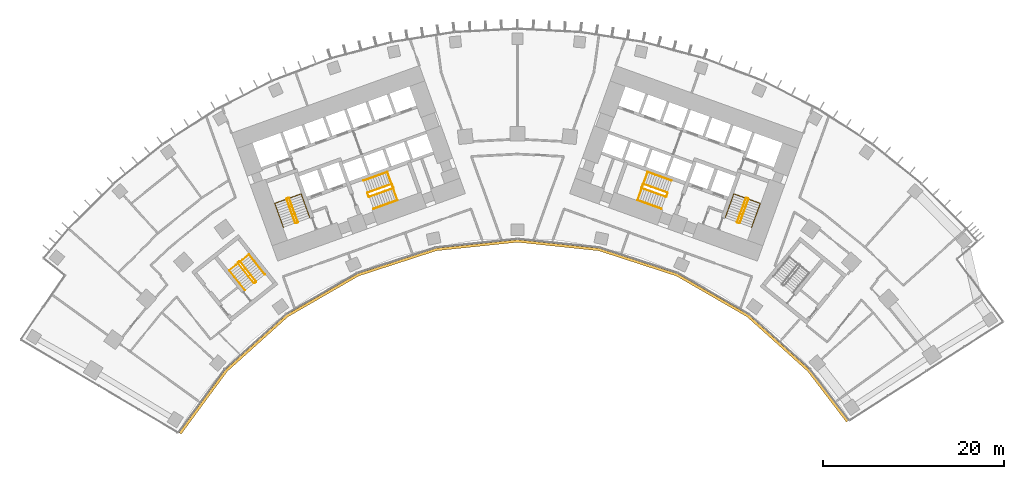
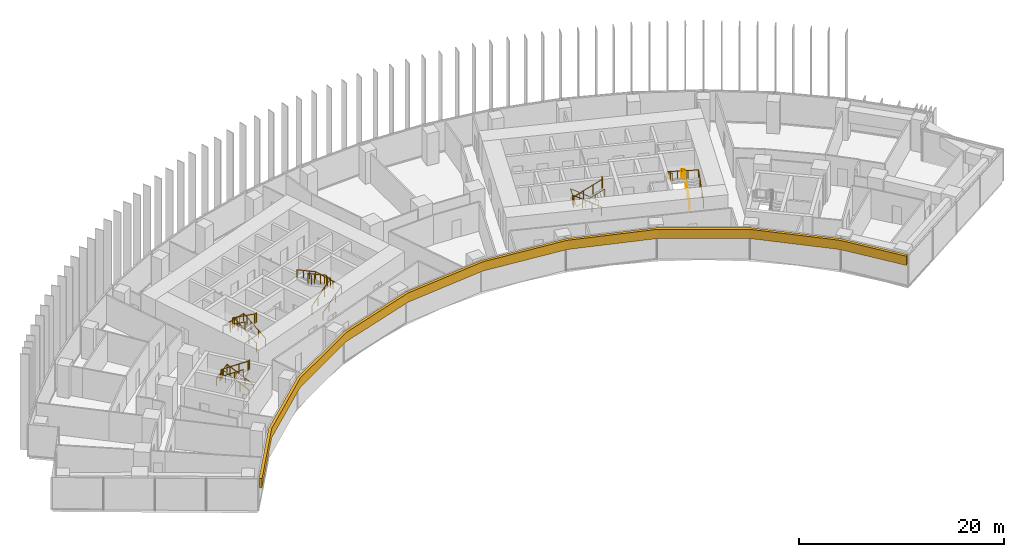
# One storey, part 24 of 25: 15 railings, 1 covering.
"""IFC4 building model written with IfcOpenShell, lengths in metres."""

from ifc_helpers import new_model, si_unit, direction, frame, origin, origin_2d, place, context, subcontext, project, spatial, polyline, circle, outline, extrude, material, layer, layer_set, type_object, element, save


model = new_model("IFC4")

# Units and contexts
model_context = context("Model", 3, precision=1e-05, world=origin(), true_north=direction((0.0, 1.0)))
body_context = subcontext(model_context, "Body", "Model", "MODEL_VIEW")
ifc_project = project(units=[si_unit("LENGTHUNIT", "METRE"), si_unit("AREAUNIT", "SQUARE_METRE"), si_unit("VOLUMEUNIT", "CUBIC_METRE"), si_unit("PLANEANGLEUNIT", "RADIAN"), si_unit("MASSUNIT", "GRAM", prefix="KILO")], contexts=[model_context])

# Site, building, storey
site_placement = place(None, origin())
site = spatial("IfcSite", under=ifc_project, at=site_placement, CompositionType="ELEMENT")
building_placement = place(site_placement, origin())
building = spatial("IfcBuilding", under=site, at=building_placement, Name="Stone Belt Terrace Tower", CompositionType="ELEMENT")
storey_placement = place(building_placement, frame((0.0, 0.0, 52.800048828125)))
storey = spatial("IfcBuildingStorey", under=building, at=storey_placement, Name="L12", CompositionType="ELEMENT", Elevation=52.800048828125)

# Railings
ifc_material_1 = material(Name="Structural steel C345", Category="steel")
railing_type_1 = type_object("IfcRailingType", Name="Stair guard 1100", PredefinedType="GUARDRAIL", material=ifc_material_1)
railing_1_placement = place(storey_placement, frame((-24.2119140625, 45.276123046875, 0.172607421875)))
element("IfcRailing", 1, at=railing_1_placement, inside=storey, type_object=railing_type_1, Name="L12 ST1A stair guard 1", PredefinedType="GUARDRAIL", context=body_context, shape_type="SweptSolid", body=[
    extrude(circle(Radius=0.02392578125, at=origin_2d()), frame((0.0, 0.0, 1.076171875), z_axis=(-0.288228637646, 0.800791768495, 0.525030280985), x_axis=(-0.940908529223, -0.338660803216, 0.0)), (0.0, 0.0, 1.0), 3.289794921875),
    extrude(circle(Radius=0.02392578125, at=origin_2d()), frame((-0.9482421875, 2.634521484375, 2.80322265625), z_axis=(-0.905209821074, 0.424964916, 0.0), x_axis=(-0.424964916, -0.905209821074, 0.0)), (0.0, 0.0, 1.0), 0.070556640625),
    extrude(circle(Radius=0.02392578125, at=origin_2d()), frame((-1.01220703125, 2.66455078125, 2.80322265625), z_axis=(-0.941105063269, -0.338114270461, 0.0), x_axis=(0.338114270461, -0.941105063269, 0.0)), (0.0, 0.0, 1.0), 0.199951171875),
    extrude(circle(Radius=0.02099609375, at=origin_2d()), origin(), (0.0, 0.0, 1.0), 1.052001953125),
    extrude(circle(Radius=0.02099609375, at=origin_2d()), frame((-0.316162109375, 0.878173828125, 0.57568359375)), (0.0, 0.0, 1.0), 1.052001953125),
    extrude(circle(Radius=0.02099609375, at=origin_2d()), frame((-0.632080078125, 1.75634765625, 1.151611328125)), (0.0, 0.0, 1.0), 1.052001953125),
    extrude(circle(Radius=0.02099609375, at=origin_2d()), frame((-0.9482421875, 2.634521484375, 1.727294921875)), (0.0, 0.0, 1.0), 1.052001953125),
    extrude(circle(Radius=0.02099609375, at=origin_2d()), frame((-1.01220703125, 2.66455078125, 1.727294921875)), (0.0, 0.0, 1.0), 1.052001953125),
    extrude(circle(Radius=0.02099609375, at=origin_2d()), frame((-1.200439453125, 2.596923828125, 1.727294921875)), (0.0, 0.0, 1.0), 1.052001953125),
])
railing_2_placement = place(storey_placement, frame((-25.4423828125, 47.80908203125, 2.07275390625)))
element("IfcRailing", 2, at=railing_2_placement, inside=storey, type_object=railing_type_1, Name="L12 ST1A stair guard 2", PredefinedType="GUARDRAIL", context=body_context, shape_type="SweptSolid", body=[
    extrude(circle(Radius=0.02392578125, at=origin_2d()), frame((0.0, 0.0, 1.076171875), z_axis=(0.288228637646, -0.800791768495, 0.525030280985), x_axis=(0.940908529223, 0.338660803216, 0.0)), (0.0, 0.0, 1.0), 3.289794921875),
    extrude(circle(Radius=0.02392578125, at=origin_2d()), frame((0.9482421875, -2.634521484375, 2.80322265625), z_axis=(0.903878284585, -0.427789722475, 0.0), x_axis=(0.427789722475, 0.903878284585, 0.0)), (0.0, 0.0, 1.0), 0.07080078125),
    extrude(circle(Radius=0.02392578125, at=origin_2d()), frame((1.01220703125, -2.664794921875, 2.80322265625), z_axis=(0.940575576748, 0.339584429008, 0.0), x_axis=(-0.339584429008, 0.940575576748, 0.0)), (0.0, 0.0, 1.0), 0.199951171875),
    extrude(circle(Radius=0.02099609375, at=origin_2d()), origin(), (0.0, 0.0, 1.0), 1.052001953125),
    extrude(circle(Radius=0.02099609375, at=origin_2d()), frame((0.316162109375, -0.878173828125, 0.57568359375)), (0.0, 0.0, 1.0), 1.052001953125),
    extrude(circle(Radius=0.02099609375, at=origin_2d()), frame((0.632080078125, -1.75634765625, 1.151611328125)), (0.0, 0.0, 1.0), 1.052001953125),
    extrude(circle(Radius=0.02099609375, at=origin_2d()), frame((0.9482421875, -2.634521484375, 1.727294921875)), (0.0, 0.0, 1.0), 1.052001953125),
    extrude(circle(Radius=0.02099609375, at=origin_2d()), frame((1.01220703125, -2.664794921875, 1.727294921875)), (0.0, 0.0, 1.0), 1.052001953125),
    extrude(circle(Radius=0.02099609375, at=origin_2d()), frame((1.2001953125, -2.596923828125, 1.727294921875)), (0.0, 0.0, 1.0), 1.052001953125),
])
railing_3_placement = place(storey_placement, frame((-16.33837890625, 48.056640625, 0.172607421875)))
element("IfcRailing", 3, at=railing_3_placement, inside=storey, type_object=railing_type_1, Name="L12 ST2A stair guard 1", PredefinedType="GUARDRAIL", context=body_context, shape_type="SweptSolid", body=[
    extrude(circle(Radius=0.02392578125, at=origin_2d()), frame((0.0, 0.0, 1.076171875), z_axis=(0.800808895155, 0.288160591223, 0.52504150989), x_axis=(-0.338583606334, 0.940936311087, 0.0)), (0.0, 0.0, 1.0), 3.289794921875),
    extrude(circle(Radius=0.02392578125, at=origin_2d()), frame((2.634521484375, 0.947998046875, 2.80322265625), z_axis=(0.427789722475, 0.903878284585, 0.0), x_axis=(-0.903878284585, 0.427789722475, 0.0)), (0.0, 0.0, 1.0), 0.07080078125),
    extrude(circle(Radius=0.02392578125, at=origin_2d()), frame((2.664794921875, 1.011962890625, 2.80322265625), z_axis=(-0.338654645739, 0.940910745459, 0.0), x_axis=(-0.940910745459, -0.338654645739, 0.0)), (0.0, 0.0, 1.0), 0.400146484375),
    extrude(circle(Radius=0.02099609375, at=origin_2d()), origin(), (0.0, 0.0, 1.0), 1.052001953125),
    extrude(circle(Radius=0.02099609375, at=origin_2d()), frame((0.878173828125, 0.31591796875, 0.57568359375)), (0.0, 0.0, 1.0), 1.052001953125),
    extrude(circle(Radius=0.02099609375, at=origin_2d()), frame((1.75634765625, 0.632080078125, 1.151611328125)), (0.0, 0.0, 1.0), 1.052001953125),
    extrude(circle(Radius=0.02099609375, at=origin_2d()), frame((2.634521484375, 0.947998046875, 1.727294921875)), (0.0, 0.0, 1.0), 1.052001953125),
    extrude(circle(Radius=0.02099609375, at=origin_2d()), frame((2.664794921875, 1.011962890625, 1.727294921875)), (0.0, 0.0, 1.0), 1.052001953125),
    extrude(circle(Radius=0.02099609375, at=origin_2d()), frame((2.529296875, 1.388427734375, 1.727294921875)), (0.0, 0.0, 1.0), 1.052001953125),
])
railing_4_placement = place(storey_placement, frame((-13.873046875, 49.47509765625, 2.07275390625)))
element("IfcRailing", 4, at=railing_4_placement, inside=storey, type_object=railing_type_1, Name="L12 ST2A stair guard 2", PredefinedType="GUARDRAIL", context=body_context, shape_type="SweptSolid", body=[
    extrude(circle(Radius=0.02392578125, at=origin_2d()), frame((0.0, 0.0, 1.076171875), z_axis=(-0.800808895155, -0.288160591223, 0.52504150989), x_axis=(0.338583606334, -0.940936311087, 0.0)), (0.0, 0.0, 1.0), 3.289794921875),
    extrude(circle(Radius=0.02392578125, at=origin_2d()), frame((-2.634521484375, -0.947998046875, 2.80322265625), z_axis=(-0.427789722475, -0.903878284585, 0.0), x_axis=(0.903878284585, -0.427789722475, 0.0)), (0.0, 0.0, 1.0), 0.07080078125),
    extrude(circle(Radius=0.02392578125, at=origin_2d()), frame((-2.664794921875, -1.011962890625, 2.80322265625), z_axis=(0.338654645739, -0.940910745459, 0.0), x_axis=(0.940910745459, 0.338654645739, 0.0)), (0.0, 0.0, 1.0), 0.400146484375),
    extrude(circle(Radius=0.02099609375, at=origin_2d()), origin(), (0.0, 0.0, 1.0), 1.052001953125),
    extrude(circle(Radius=0.02099609375, at=origin_2d()), frame((-0.878173828125, -0.31591796875, 0.57568359375)), (0.0, 0.0, 1.0), 1.052001953125),
    extrude(circle(Radius=0.02099609375, at=origin_2d()), frame((-1.75634765625, -0.632080078125, 1.151611328125)), (0.0, 0.0, 1.0), 1.052001953125),
    extrude(circle(Radius=0.02099609375, at=origin_2d()), frame((-2.634521484375, -0.947998046875, 1.727294921875)), (0.0, 0.0, 1.0), 1.052001953125),
    extrude(circle(Radius=0.02099609375, at=origin_2d()), frame((-2.664794921875, -1.011962890625, 1.727294921875)), (0.0, 0.0, 1.0), 1.052001953125),
    extrude(circle(Radius=0.02099609375, at=origin_2d()), frame((-2.529296875, -1.388427734375, 1.727294921875)), (0.0, 0.0, 1.0), 1.052001953125),
])
railing_5_placement = place(storey_placement, frame((24.494140625, 45.174560546875, 0.172607421875)))
element("IfcRailing", 5, at=railing_5_placement, inside=storey, type_object=railing_type_1, Name="L12 ST1B stair guard 1", PredefinedType="GUARDRAIL", context=body_context, shape_type="SweptSolid", body=[
    extrude(circle(Radius=0.02392578125, at=origin_2d()), frame((0.0, 0.0, 1.076171875), z_axis=(0.288228637646, 0.800791768495, 0.525030280985), x_axis=(-0.940908529223, 0.338660803216, 0.0)), (0.0, 0.0, 1.0), 3.289794921875),
    extrude(circle(Radius=0.02392578125, at=origin_2d()), frame((0.9482421875, 2.634521484375, 2.80322265625), z_axis=(-0.424964916, 0.905209821074, 0.0), x_axis=(-0.905209821074, -0.424964916, 0.0)), (0.0, 0.0, 1.0), 0.070556640625),
    extrude(circle(Radius=0.02392578125, at=origin_2d()), frame((0.918212890625, 2.698486328125, 2.80322265625), z_axis=(-0.941105063269, 0.338114270461, 0.0), x_axis=(-0.338114270461, -0.941105063269, 0.0)), (0.0, 0.0, 1.0), 0.199951171875),
    extrude(circle(Radius=0.02099609375, at=origin_2d()), origin(), (0.0, 0.0, 1.0), 1.052001953125),
    extrude(circle(Radius=0.02099609375, at=origin_2d()), frame((0.316162109375, 0.878173828125, 0.57568359375)), (0.0, 0.0, 1.0), 1.052001953125),
    extrude(circle(Radius=0.02099609375, at=origin_2d()), frame((0.632080078125, 1.75634765625, 1.151611328125)), (0.0, 0.0, 1.0), 1.052001953125),
    extrude(circle(Radius=0.02099609375, at=origin_2d()), frame((0.9482421875, 2.634521484375, 1.727294921875)), (0.0, 0.0, 1.0), 1.052001953125),
    extrude(circle(Radius=0.02099609375, at=origin_2d()), frame((0.918212890625, 2.698486328125, 1.727294921875)), (0.0, 0.0, 1.0), 1.052001953125),
    extrude(circle(Radius=0.02099609375, at=origin_2d()), frame((0.72998046875, 2.76611328125, 1.727294921875)), (0.0, 0.0, 1.0), 1.052001953125),
])
railing_6_placement = place(storey_placement, frame((25.16015625, 47.91064453125, 2.07275390625)))
element("IfcRailing", 6, at=railing_6_placement, inside=storey, type_object=railing_type_1, Name="L12 ST1B stair guard 2", PredefinedType="GUARDRAIL", context=body_context, shape_type="SweptSolid", body=[
    extrude(circle(Radius=0.02392578125, at=origin_2d()), frame((0.0, 0.0, 1.076171875), z_axis=(-0.288228637646, -0.800791768495, 0.525030280985), x_axis=(0.940908529223, -0.338660803216, 0.0)), (0.0, 0.0, 1.0), 3.289794921875),
    extrude(circle(Radius=0.02392578125, at=origin_2d()), frame((-0.9482421875, -2.634521484375, 2.80322265625), z_axis=(0.427789722475, -0.903878284585, 0.0), x_axis=(0.903878284585, 0.427789722475, 0.0)), (0.0, 0.0, 1.0), 0.07080078125),
    extrude(circle(Radius=0.02392578125, at=origin_2d()), frame((-0.91796875, -2.698486328125, 2.80322265625), z_axis=(0.940575576748, -0.339584429008, 0.0), x_axis=(0.339584429008, 0.940575576748, 0.0)), (0.0, 0.0, 1.0), 0.199951171875),
    extrude(circle(Radius=0.02099609375, at=origin_2d()), origin(), (0.0, 0.0, 1.0), 1.052001953125),
    extrude(circle(Radius=0.02099609375, at=origin_2d()), frame((-0.316162109375, -0.878173828125, 0.57568359375)), (0.0, 0.0, 1.0), 1.052001953125),
    extrude(circle(Radius=0.02099609375, at=origin_2d()), frame((-0.632080078125, -1.75634765625, 1.151611328125)), (0.0, 0.0, 1.0), 1.052001953125),
    extrude(circle(Radius=0.02099609375, at=origin_2d()), frame((-0.9482421875, -2.634521484375, 1.727294921875)), (0.0, 0.0, 1.0), 1.052001953125),
    extrude(circle(Radius=0.02099609375, at=origin_2d()), frame((-0.91796875, -2.698486328125, 1.727294921875)), (0.0, 0.0, 1.0), 1.052001953125),
    extrude(circle(Radius=0.02099609375, at=origin_2d()), frame((-0.72998046875, -2.766357421875, 1.727294921875)), (0.0, 0.0, 1.0), 1.052001953125),
])
railing_7_placement = place(storey_placement, frame((16.507568359375, 48.527099609375, 0.172607421875)))
element("IfcRailing", 7, at=railing_7_placement, inside=storey, type_object=railing_type_1, Name="L12 ST2B stair guard 1", PredefinedType="GUARDRAIL", context=body_context, shape_type="SweptSolid", body=[
    extrude(circle(Radius=0.02392578125, at=origin_2d()), frame((0.0, 0.0, 1.076171875), z_axis=(-0.800808895155, 0.288160591223, 0.52504150989), x_axis=(-0.338583606334, -0.940936311087, 0.0)), (0.0, 0.0, 1.0), 3.289794921875),
    extrude(circle(Radius=0.02392578125, at=origin_2d()), frame((-2.634521484375, 0.947998046875, 2.80322265625), z_axis=(-0.905209821074, -0.424964916, 0.0), x_axis=(0.424964916, -0.905209821074, 0.0)), (0.0, 0.0, 1.0), 0.070556640625),
    extrude(circle(Radius=0.02392578125, at=origin_2d()), frame((-2.698486328125, 0.91796875, 2.80322265625), z_axis=(-0.338654645739, -0.940910745459, 0.0), x_axis=(0.940910745459, -0.338654645739, 0.0)), (0.0, 0.0, 1.0), 0.400146484375),
    extrude(circle(Radius=0.02099609375, at=origin_2d()), origin(), (0.0, 0.0, 1.0), 1.052001953125),
    extrude(circle(Radius=0.02099609375, at=origin_2d()), frame((-0.878173828125, 0.31591796875, 0.57568359375)), (0.0, 0.0, 1.0), 1.052001953125),
    extrude(circle(Radius=0.02099609375, at=origin_2d()), frame((-1.75634765625, 0.632080078125, 1.151611328125)), (0.0, 0.0, 1.0), 1.052001953125),
    extrude(circle(Radius=0.02099609375, at=origin_2d()), frame((-2.634521484375, 0.947998046875, 1.727294921875)), (0.0, 0.0, 1.0), 1.052001953125),
    extrude(circle(Radius=0.02099609375, at=origin_2d()), frame((-2.698486328125, 0.91796875, 1.727294921875)), (0.0, 0.0, 1.0), 1.052001953125),
    extrude(circle(Radius=0.02099609375, at=origin_2d()), frame((-2.833984375, 0.54150390625, 1.727294921875)), (0.0, 0.0, 1.0), 1.052001953125),
])
railing_8_placement = place(storey_placement, frame((13.703857421875, 49.004638671875, 2.07275390625)))
element("IfcRailing", 8, at=railing_8_placement, inside=storey, type_object=railing_type_1, Name="L12 ST2B stair guard 2", PredefinedType="GUARDRAIL", context=body_context, shape_type="SweptSolid", body=[
    extrude(circle(Radius=0.02392578125, at=origin_2d()), frame((0.0, 0.0, 1.076171875), z_axis=(0.800808895155, -0.288160591223, 0.52504150989), x_axis=(0.338583606334, 0.940936311087, 0.0)), (0.0, 0.0, 1.0), 3.289794921875),
    extrude(circle(Radius=0.02392578125, at=origin_2d()), frame((2.634521484375, -0.947998046875, 2.80322265625), z_axis=(0.905209821074, 0.424964916, 0.0), x_axis=(-0.424964916, 0.905209821074, 0.0)), (0.0, 0.0, 1.0), 0.070556640625),
    extrude(circle(Radius=0.02392578125, at=origin_2d()), frame((2.698486328125, -0.91796875, 2.80322265625), z_axis=(0.338654645739, 0.940910745459, 0.0), x_axis=(-0.940910745459, 0.338654645739, 0.0)), (0.0, 0.0, 1.0), 0.400146484375),
    extrude(circle(Radius=0.02099609375, at=origin_2d()), origin(), (0.0, 0.0, 1.0), 1.052001953125),
    extrude(circle(Radius=0.02099609375, at=origin_2d()), frame((0.878173828125, -0.31591796875, 0.57568359375)), (0.0, 0.0, 1.0), 1.052001953125),
    extrude(circle(Radius=0.02099609375, at=origin_2d()), frame((1.75634765625, -0.632080078125, 1.151611328125)), (0.0, 0.0, 1.0), 1.052001953125),
    extrude(circle(Radius=0.02099609375, at=origin_2d()), frame((2.634521484375, -0.947998046875, 1.727294921875)), (0.0, 0.0, 1.0), 1.052001953125),
    extrude(circle(Radius=0.02099609375, at=origin_2d()), frame((2.698486328125, -0.91796875, 1.727294921875)), (0.0, 0.0, 1.0), 1.052001953125),
    extrude(circle(Radius=0.02099609375, at=origin_2d()), frame((2.833984375, -0.54150390625, 1.727294921875)), (0.0, 0.0, 1.0), 1.052001953125),
])
railing_9_placement = place(storey_placement, frame((-28.814208984375, 38.734619140625, 0.172607421875)))
element("IfcRailing", 9, at=railing_9_placement, inside=storey, type_object=railing_type_1, Name="L12 ST3A stair guard 1", PredefinedType="GUARDRAIL", context=body_context, shape_type="SweptSolid", body=[
    extrude(circle(Radius=0.02392578125, at=origin_2d()), frame((0.0, 0.0, 1.076171875), z_axis=(-0.530306321799, 0.665665785969, 0.525037395288), x_axis=(-0.782143211408, -0.623098705543, 0.0)), (0.0, 0.0, 1.0), 3.289794921875),
    extrude(circle(Radius=0.02392578125, at=origin_2d()), frame((-1.74462890625, 2.18994140625, 2.80322265625), z_axis=(-0.993883734674, 0.110431526075, 0.0), x_axis=(-0.110431526075, -0.993883734674, 0.0)), (0.0, 0.0, 1.0), 0.07080078125),
    extrude(circle(Radius=0.02392578125, at=origin_2d()), frame((-1.81494140625, 2.19775390625, 2.80322265625), z_axis=(-0.782533463299, -0.622608527742, 0.0), x_axis=(0.622608527742, -0.782533463299, 0.0)), (0.0, 0.0, 1.0), 0.199951171875),
    extrude(circle(Radius=0.02099609375, at=origin_2d()), origin(), (0.0, 0.0, 1.0), 1.052001953125),
    extrude(circle(Radius=0.02099609375, at=origin_2d()), frame((-0.58154296875, 0.72998046875, 0.57568359375)), (0.0, 0.0, 1.0), 1.052001953125),
    extrude(circle(Radius=0.02099609375, at=origin_2d()), frame((-1.1630859375, 1.4599609375, 1.151611328125)), (0.0, 0.0, 1.0), 1.052001953125),
    extrude(circle(Radius=0.02099609375, at=origin_2d()), frame((-1.74462890625, 2.18994140625, 1.727294921875)), (0.0, 0.0, 1.0), 1.052001953125),
    extrude(circle(Radius=0.02099609375, at=origin_2d()), frame((-1.81494140625, 2.19775390625, 1.727294921875)), (0.0, 0.0, 1.0), 1.052001953125),
    extrude(circle(Radius=0.02099609375, at=origin_2d()), frame((-1.971435546875, 2.0732421875, 1.727294921875)), (0.0, 0.0, 1.0), 1.052001953125),
])
railing_10_placement = place(storey_placement, frame((-30.793701171875, 40.737548828125, 2.07275390625)))
element("IfcRailing", 10, at=railing_10_placement, inside=storey, type_object=railing_type_1, Name="L12 ST3A stair guard 2", PredefinedType="GUARDRAIL", context=body_context, shape_type="SweptSolid", body=[
    extrude(circle(Radius=0.02392578125, at=origin_2d()), frame((0.0, 0.0, 1.076171875), z_axis=(0.530359659125, -0.665639588968, 0.525016732659), x_axis=(0.782100716982, 0.62315204284, 0.0)), (0.0, 0.0, 1.0), 3.2900390625),
    extrude(circle(Radius=0.02392578125, at=origin_2d()), frame((1.744873046875, -2.18994140625, 2.80322265625), z_axis=(0.993499272973, -0.113838458361, 0.0), x_axis=(0.113838458361, 0.993499272973, 0.0)), (0.0, 0.0, 1.0), 0.07080078125),
    extrude(circle(Radius=0.02392578125, at=origin_2d()), frame((1.815185546875, -2.197998046875, 2.80322265625), z_axis=(0.781464082609, 0.623950228458, 0.0), x_axis=(-0.623950228458, 0.781464082609, 0.0)), (0.0, 0.0, 1.0), 0.199951171875),
    extrude(circle(Radius=0.02099609375, at=origin_2d()), origin(), (0.0, 0.0, 1.0), 1.052001953125),
    extrude(circle(Radius=0.02099609375, at=origin_2d()), frame((0.58154296875, -0.72998046875, 0.57568359375)), (0.0, 0.0, 1.0), 1.052001953125),
    extrude(circle(Radius=0.02099609375, at=origin_2d()), frame((1.163330078125, -1.4599609375, 1.151611328125)), (0.0, 0.0, 1.0), 1.052001953125),
    extrude(circle(Radius=0.02099609375, at=origin_2d()), frame((1.744873046875, -2.18994140625, 1.727294921875)), (0.0, 0.0, 1.0), 1.052001953125),
    extrude(circle(Radius=0.02099609375, at=origin_2d()), frame((1.815185546875, -2.197998046875, 1.727294921875)), (0.0, 0.0, 1.0), 1.052001953125),
    extrude(circle(Radius=0.02099609375, at=origin_2d()), frame((1.971435546875, -2.0732421875, 1.727294921875)), (0.0, 0.0, 1.0), 1.052001953125),
])
railing_type_2 = type_object("IfcRailingType", Name="Stair handrail 900", PredefinedType="HANDRAIL", material=ifc_material_1)
railing_11_placement = place(storey_placement, frame((-22.894775390625, 45.750244140625, 0.172607421875)))
element("IfcRailing", 11, at=railing_11_placement, inside=storey, type_object=railing_type_2, Name="L12 ST1A stair handrail 1", PredefinedType="HANDRAIL", context=body_context, shape_type="SweptSolid", body=[
    extrude(circle(Radius=0.02392578125, at=origin_2d()), frame((0.0, 0.0, 0.8759765625), z_axis=(-0.288160591223, 0.800808895155, 0.52504150989), x_axis=(-0.940936311087, -0.338583606334, 0.0)), (0.0, 0.0, 1.0), 3.289794921875),
    extrude(circle(Radius=0.02392578125, at=origin_2d()), frame((-0.947998046875, 2.634521484375, 2.60302734375), z_axis=(-0.939460408074, -0.338105101667, 0.055669398135), x_axis=(0.338630230244, -0.940919532779, 0.0)), (0.0, 0.0, 1.0), 3.10498046875),
    extrude(circle(Radius=0.02392578125, at=origin_2d()), frame((-3.864990234375, 1.584716796875, 2.77587890625), z_axis=(0.288228637646, -0.800791768495, 0.525030280985), x_axis=(0.940908529223, 0.338660803216, 0.0)), (0.0, 0.0, 1.0), 3.289794921875),
    extrude(circle(Radius=0.02099609375, at=origin_2d()), origin(), (0.0, 0.0, 1.0), 0.851806640625),
    extrude(circle(Radius=0.02099609375, at=origin_2d()), frame((-0.31591796875, 0.878173828125, 0.57568359375)), (0.0, 0.0, 1.0), 0.851806640625),
    extrude(circle(Radius=0.02099609375, at=origin_2d()), frame((-0.632080078125, 1.75634765625, 1.151611328125)), (0.0, 0.0, 1.0), 0.851806640625),
    extrude(circle(Radius=0.02099609375, at=origin_2d()), frame((-0.947998046875, 2.634521484375, 1.727294921875)), (0.0, 0.0, 1.0), 0.851806640625),
    extrude(circle(Radius=0.02099609375, at=origin_2d()), frame((-1.92041015625, 2.28466796875, 1.784912109375)), (0.0, 0.0, 1.0), 0.851806640625),
    extrude(circle(Radius=0.02099609375, at=origin_2d()), frame((-2.892578125, 1.9345703125, 1.842529296875)), (0.0, 0.0, 1.0), 0.851806640625),
    extrude(circle(Radius=0.02099609375, at=origin_2d()), frame((-3.864990234375, 1.584716796875, 1.900146484375)), (0.0, 0.0, 1.0), 0.851806640625),
    extrude(circle(Radius=0.02099609375, at=origin_2d()), frame((-3.548828125, 0.70654296875, 2.475830078125)), (0.0, 0.0, 1.0), 0.851806640625),
    extrude(circle(Radius=0.02099609375, at=origin_2d()), frame((-3.23291015625, -0.171630859375, 3.0517578125)), (0.0, 0.0, 1.0), 0.851806640625),
    extrude(circle(Radius=0.02099609375, at=origin_2d()), frame((-2.916748046875, -1.0498046875, 3.62744140625)), (0.0, 0.0, 1.0), 0.851806640625),
])
railing_12_placement = place(storey_placement, frame((-15.8642578125, 46.7392578125, 0.172607421875)))
element("IfcRailing", 12, at=railing_12_placement, inside=storey, type_object=railing_type_2, Name="L12 ST2A stair handrail 1", PredefinedType="HANDRAIL", context=body_context, shape_type="SweptSolid", body=[
    extrude(circle(Radius=0.02392578125, at=origin_2d()), frame((0.0, 0.0, 0.8759765625), z_axis=(0.800791768495, 0.288228637646, 0.525030280985), x_axis=(-0.338660803216, 0.940908529223, 0.0)), (0.0, 0.0, 1.0), 3.289794921875),
    extrude(circle(Radius=0.02392578125, at=origin_2d()), frame((2.634521484375, 0.9482421875, 2.60302734375), z_axis=(-0.338158948057, 0.939634149308, 0.052308615955), x_axis=(-0.940922302781, -0.338622533404, 0.0)), (0.0, 0.0, 1.0), 3.304443359375),
    extrude(circle(Radius=0.02392578125, at=origin_2d()), frame((1.51708984375, 4.05322265625, 2.77587890625), z_axis=(-0.800791768495, -0.288228637646, 0.525030280985), x_axis=(0.338660803216, -0.940908529223, 0.0)), (0.0, 0.0, 1.0), 3.289794921875),
    extrude(circle(Radius=0.02099609375, at=origin_2d()), origin(), (0.0, 0.0, 1.0), 0.851806640625),
    extrude(circle(Radius=0.02099609375, at=origin_2d()), frame((0.878173828125, 0.316162109375, 0.57568359375)), (0.0, 0.0, 1.0), 0.851806640625),
    extrude(circle(Radius=0.02099609375, at=origin_2d()), frame((1.75634765625, 0.632080078125, 1.151611328125)), (0.0, 0.0, 1.0), 0.851806640625),
    extrude(circle(Radius=0.02099609375, at=origin_2d()), frame((2.634521484375, 0.9482421875, 1.727294921875)), (0.0, 0.0, 1.0), 0.851806640625),
    extrude(circle(Radius=0.02099609375, at=origin_2d()), frame((2.261962890625, 1.983154296875, 1.784912109375)), (0.0, 0.0, 1.0), 0.851806640625),
    extrude(circle(Radius=0.02099609375, at=origin_2d()), frame((1.8896484375, 3.018310546875, 1.842529296875)), (0.0, 0.0, 1.0), 0.851806640625),
    extrude(circle(Radius=0.02099609375, at=origin_2d()), frame((1.51708984375, 4.05322265625, 1.900146484375)), (0.0, 0.0, 1.0), 0.851806640625),
    extrude(circle(Radius=0.02099609375, at=origin_2d()), frame((0.638916015625, 3.737060546875, 2.475830078125)), (0.0, 0.0, 1.0), 0.851806640625),
    extrude(circle(Radius=0.02099609375, at=origin_2d()), frame((-0.2392578125, 3.421142578125, 3.0517578125)), (0.0, 0.0, 1.0), 0.851806640625),
    extrude(circle(Radius=0.02099609375, at=origin_2d()), frame((-1.117431640625, 3.10498046875, 3.62744140625)), (0.0, 0.0, 1.0), 0.851806640625),
])
railing_13_placement = place(storey_placement, frame((25.8115234375, 44.700439453125, 0.172607421875)))
element("IfcRailing", 13, at=railing_13_placement, inside=storey, type_object=railing_type_2, Name="L12 ST1B stair handrail 1", PredefinedType="HANDRAIL", context=body_context, shape_type="SweptSolid", body=[
    extrude(circle(Radius=0.02392578125, at=origin_2d()), frame((0.0, 0.0, 0.8759765625), z_axis=(0.288228637646, 0.800791768495, 0.525030280985), x_axis=(-0.940908529223, 0.338660803216, 0.0)), (0.0, 0.0, 1.0), 3.289794921875),
    extrude(circle(Radius=0.02392578125, at=origin_2d()), frame((0.9482421875, 2.634521484375, 2.60302734375), z_axis=(-0.939460408074, 0.338105101667, 0.055669398135), x_axis=(-0.338630230244, -0.940919532779, 0.0)), (0.0, 0.0, 1.0), 3.10498046875),
    extrude(circle(Radius=0.02392578125, at=origin_2d()), frame((-1.96875, 3.684326171875, 2.77587890625), z_axis=(-0.288160591223, -0.800808895155, 0.52504150989), x_axis=(0.940936311087, -0.338583606334, 0.0)), (0.0, 0.0, 1.0), 3.289794921875),
    extrude(circle(Radius=0.02099609375, at=origin_2d()), origin(), (0.0, 0.0, 1.0), 0.851806640625),
    extrude(circle(Radius=0.02099609375, at=origin_2d()), frame((0.316162109375, 0.878173828125, 0.57568359375)), (0.0, 0.0, 1.0), 0.851806640625),
    extrude(circle(Radius=0.02099609375, at=origin_2d()), frame((0.632080078125, 1.75634765625, 1.151611328125)), (0.0, 0.0, 1.0), 0.851806640625),
    extrude(circle(Radius=0.02099609375, at=origin_2d()), frame((0.9482421875, 2.634521484375, 1.727294921875)), (0.0, 0.0, 1.0), 0.851806640625),
    extrude(circle(Radius=0.02099609375, at=origin_2d()), frame((-0.024169921875, 2.984375, 1.784912109375)), (0.0, 0.0, 1.0), 0.851806640625),
    extrude(circle(Radius=0.02099609375, at=origin_2d()), frame((-0.996337890625, 3.33447265625, 1.842529296875)), (0.0, 0.0, 1.0), 0.851806640625),
    extrude(circle(Radius=0.02099609375, at=origin_2d()), frame((-1.96875, 3.684326171875, 1.900146484375)), (0.0, 0.0, 1.0), 0.851806640625),
    extrude(circle(Radius=0.02099609375, at=origin_2d()), frame((-2.28466796875, 2.80615234375, 2.475830078125)), (0.0, 0.0, 1.0), 0.851806640625),
    extrude(circle(Radius=0.02099609375, at=origin_2d()), frame((-2.600830078125, 1.927978515625, 3.0517578125)), (0.0, 0.0, 1.0), 0.851806640625),
    extrude(circle(Radius=0.02099609375, at=origin_2d()), frame((-2.916748046875, 1.0498046875, 3.62744140625)), (0.0, 0.0, 1.0), 0.851806640625),
])
railing_14_placement = place(storey_placement, frame((16.981689453125, 49.84423828125, 0.172607421875)))
element("IfcRailing", 14, at=railing_14_placement, inside=storey, type_object=railing_type_2, Name="L12 ST2B stair handrail 1", PredefinedType="HANDRAIL", context=body_context, shape_type="SweptSolid", body=[
    extrude(circle(Radius=0.02392578125, at=origin_2d()), frame((0.0, 0.0, 0.8759765625), z_axis=(-0.800791768495, 0.288228637646, 0.525030280985), x_axis=(-0.338660803216, -0.940908529223, 0.0)), (0.0, 0.0, 1.0), 3.289794921875),
    extrude(circle(Radius=0.02392578125, at=origin_2d()), frame((-2.634521484375, 0.9482421875, 2.60302734375), z_axis=(-0.338158948057, -0.939634149308, 0.052308615955), x_axis=(0.940922302781, -0.338622533404, 0.0)), (0.0, 0.0, 1.0), 3.304443359375),
    extrude(circle(Radius=0.02392578125, at=origin_2d()), frame((-3.751953125, -2.15673828125, 2.77587890625), z_axis=(0.800791768495, -0.288228637646, 0.525030280985), x_axis=(0.338660803216, 0.940908529223, 0.0)), (0.0, 0.0, 1.0), 3.289794921875),
    extrude(circle(Radius=0.02099609375, at=origin_2d()), origin(), (0.0, 0.0, 1.0), 0.851806640625),
    extrude(circle(Radius=0.02099609375, at=origin_2d()), frame((-0.878173828125, 0.316162109375, 0.57568359375)), (0.0, 0.0, 1.0), 0.851806640625),
    extrude(circle(Radius=0.02099609375, at=origin_2d()), frame((-1.75634765625, 0.632080078125, 1.151611328125)), (0.0, 0.0, 1.0), 0.851806640625),
    extrude(circle(Radius=0.02099609375, at=origin_2d()), frame((-2.634521484375, 0.9482421875, 1.727294921875)), (0.0, 0.0, 1.0), 0.851806640625),
    extrude(circle(Radius=0.02099609375, at=origin_2d()), frame((-3.007080078125, -0.086669921875, 1.784912109375)), (0.0, 0.0, 1.0), 0.851806640625),
    extrude(circle(Radius=0.02099609375, at=origin_2d()), frame((-3.37939453125, -1.121826171875, 1.842529296875)), (0.0, 0.0, 1.0), 0.851806640625),
    extrude(circle(Radius=0.02099609375, at=origin_2d()), frame((-3.751953125, -2.15673828125, 1.900146484375)), (0.0, 0.0, 1.0), 0.851806640625),
    extrude(circle(Radius=0.02099609375, at=origin_2d()), frame((-2.873779296875, -2.472900390625, 2.475830078125)), (0.0, 0.0, 1.0), 0.851806640625),
    extrude(circle(Radius=0.02099609375, at=origin_2d()), frame((-1.99560546875, -2.788818359375, 3.0517578125)), (0.0, 0.0, 1.0), 0.851806640625),
    extrude(circle(Radius=0.02099609375, at=origin_2d()), frame((-1.117431640625, -3.10498046875, 3.62744140625)), (0.0, 0.0, 1.0), 0.851806640625),
])
railing_15_placement = place(storey_placement, frame((-27.836669921875, 39.513427734375, 0.172607421875)))
element("IfcRailing", 15, at=railing_15_placement, inside=storey, type_object=railing_type_2, Name="L12 ST3A stair handrail 1", PredefinedType="HANDRAIL", context=body_context, shape_type="SweptSolid", body=[
    extrude(circle(Radius=0.02392578125, at=origin_2d()), frame((0.0, 0.0, 0.8759765625), z_axis=(-0.530306321799, 0.665665785969, 0.525037395288), x_axis=(-0.782143211408, -0.623098705543, 0.0)), (0.0, 0.0, 1.0), 3.289794921875),
    extrude(circle(Radius=0.02392578125, at=origin_2d()), frame((-1.74462890625, 2.18994140625, 2.60302734375), z_axis=(-0.78065703189, -0.621914732429, 0.061617076765), x_axis=(0.623098705543, -0.782143211408, 0.0)), (0.0, 0.0, 1.0), 2.80517578125),
    extrude(circle(Radius=0.02392578125, at=origin_2d()), frame((-3.9345703125, 0.4453125, 2.77587890625), z_axis=(0.530306321799, -0.665665785969, 0.525037395288), x_axis=(0.782143211408, 0.623098705543, 0.0)), (0.0, 0.0, 1.0), 3.289794921875),
    extrude(circle(Radius=0.02099609375, at=origin_2d()), origin(), (0.0, 0.0, 1.0), 0.851806640625),
    extrude(circle(Radius=0.02099609375, at=origin_2d()), frame((-0.58154296875, 0.72998046875, 0.57568359375)), (0.0, 0.0, 1.0), 0.851806640625),
    extrude(circle(Radius=0.02099609375, at=origin_2d()), frame((-1.1630859375, 1.4599609375, 1.151611328125)), (0.0, 0.0, 1.0), 0.851806640625),
    extrude(circle(Radius=0.02099609375, at=origin_2d()), frame((-1.74462890625, 2.18994140625, 1.727294921875)), (0.0, 0.0, 1.0), 0.851806640625),
    extrude(circle(Radius=0.02099609375, at=origin_2d()), frame((-2.474609375, 1.6083984375, 1.784912109375)), (0.0, 0.0, 1.0), 0.851806640625),
    extrude(circle(Radius=0.02099609375, at=origin_2d()), frame((-3.20458984375, 1.02685546875, 1.842529296875)), (0.0, 0.0, 1.0), 0.851806640625),
    extrude(circle(Radius=0.02099609375, at=origin_2d()), frame((-3.9345703125, 0.4453125, 1.900146484375)), (0.0, 0.0, 1.0), 0.851806640625),
    extrude(circle(Radius=0.02099609375, at=origin_2d()), frame((-3.35302734375, -0.28466796875, 2.475830078125)), (0.0, 0.0, 1.0), 0.851806640625),
    extrude(circle(Radius=0.02099609375, at=origin_2d()), frame((-2.771484375, -1.0146484375, 3.0517578125)), (0.0, 0.0, 1.0), 0.851806640625),
    extrude(circle(Radius=0.02099609375, at=origin_2d()), frame((-2.18994140625, -1.74462890625, 3.62744140625)), (0.0, 0.0, 1.0), 0.851806640625),
])

# Covering
ifc_material_2 = material(Name="Terracotta coloured glazed ceramic", Category="masonry")
ifc_layer = layer(ifc_material_2, 0.300048828125)
ifc_layer_set = layer_set([ifc_layer], Name="Terracotta spandrel band 300 x 1100")
covering_type = type_object("IfcCoveringType", Name="Terracotta spandrel band 300 x 1100", PredefinedType="CLADDING", material=ifc_layer_set)
covering_placement = place(storey_placement, frame((0.0, 0.0, 2.699951171875)))
element("IfcCovering", 16, at=covering_placement, inside=storey, type_object=covering_type, Name="BAND L12", PredefinedType="CLADDING", context=body_context, shape_type="SweptSolid", body=[
    extrude(outline(polyline([(-37.3134765625, 22.068115234375), (-32.215087890625, 29.006103515625), (-25.47998046875, 35.0703125), (-17.631591796875, 39.6015625), (-9.0126953125, 42.40185546875), (0.0, 43.34912109375), (9.0126953125, 42.40185546875), (17.631591796875, 39.6015625), (25.47998046875, 35.0703125), (32.216064453125, 29.005126953125), (36.48486328125, 23.412109375), (36.246337890625, 23.230224609375), (31.99462890625, 28.80078125), (25.302734375, 34.826171875), (17.509033203125, 39.325927734375), (8.9501953125, 42.10693359375), (0.0, 43.047607421875), (-8.9501953125, 42.10693359375), (-17.509033203125, 39.325927734375), (-25.302734375, 34.826171875), (-31.991455078125, 28.8037109375), (-37.071533203125, 21.890380859375), (-37.3134765625, 22.068115234375)])), origin(), (0.0, 0.0, 1.0), 1.10009765625),
])

save(model, "model.ifc")
